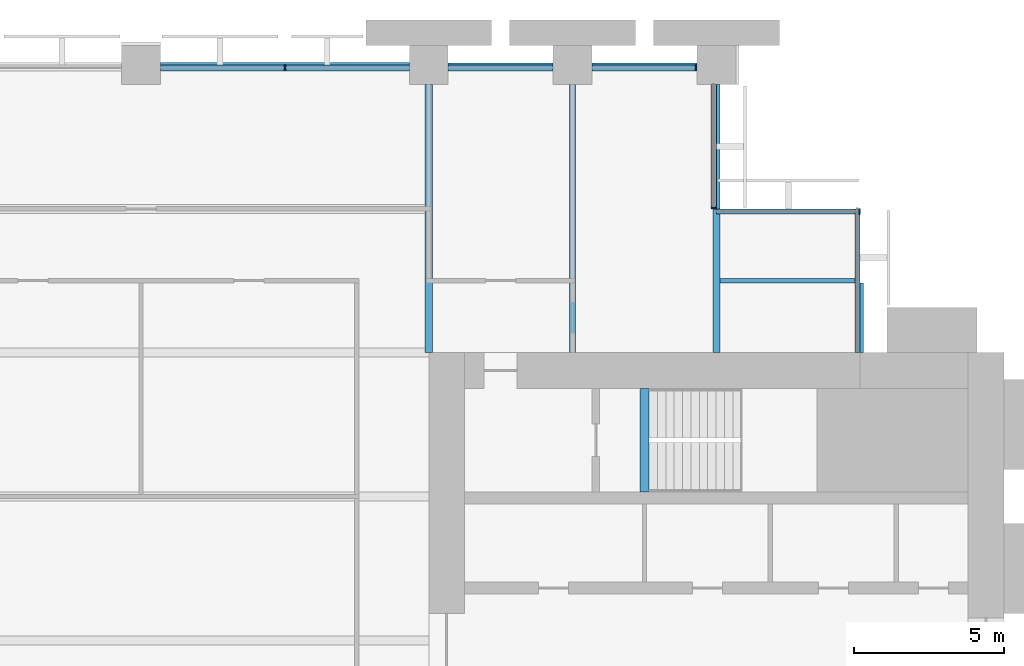
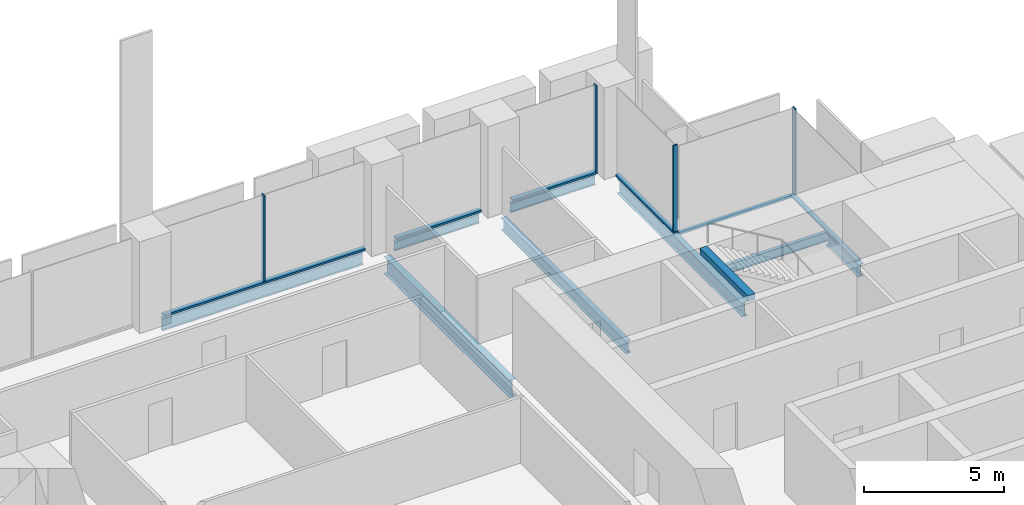
# One storey, part 7 of 14: 10 members, 9 beams, 4 elements without a shape of their own.
"""IFC4 building model written with IfcOpenShell, lengths in metres."""

from ifc_helpers import new_model, si_unit, direction, frame, origin, origin_2d, place, context, subcontext, project, spatial, rectangle, i_section, extrude, material, material_profile, profile_set, type_object, element, aggregate, save


model = new_model("IFC4")

# Units and contexts
model_context = context("Model", 3, precision=1e-05, world=origin(), true_north=direction((0.0, 1.0)))
body_context = subcontext(model_context, "Body", "Model", "MODEL_VIEW")
ifc_project = project(units=[si_unit("LENGTHUNIT", "METRE"), si_unit("AREAUNIT", "SQUARE_METRE"), si_unit("VOLUMEUNIT", "CUBIC_METRE"), si_unit("PLANEANGLEUNIT", "RADIAN"), si_unit("MASSUNIT", "GRAM", prefix="KILO")], contexts=[model_context])

# Site, building, storey
site_placement = place(None, origin())
site = spatial("IfcSite", under=ifc_project, at=site_placement, CompositionType="ELEMENT")
building_placement = place(site_placement, origin())
building = spatial("IfcBuilding", under=site, at=building_placement, Name="Baori Bourse Tower", CompositionType="ELEMENT")
storey_placement = place(building_placement, frame((0.0, 0.0, 39.0)))
storey = spatial("IfcBuildingStorey", under=building, at=storey_placement, Name="L07", CompositionType="ELEMENT", Elevation=39.0)

# Curtain wall, members
ifc_material_1 = material(Name="Pale anodised aluminium", Category="aluminium")
curtain_wall_type_1 = type_object("IfcCurtainWallType", Name="CW1 Curtain wall", PredefinedType="NOTDEFINED", material=ifc_material_1)
curtain_wall_1_placement = place(storey_placement, origin())
curtain_wall_1 = element("IfcCurtainWall", 1, at=curtain_wall_1_placement, inside=storey, type_object=curtain_wall_type_1, Name="Curtain wall CW1 L07 4", PredefinedType="NOTDEFINED")
ifc_material_2 = material(Name="Pale anodised aluminium", Category="aluminium")
ifc_material_profile_1 = material_profile(ifc_material_2, rectangle(XDim=0.199951171875, YDim=0.06005859375, at=origin_2d()), Name="Mullion 60x200")
ifc_profile_set_1 = profile_set([ifc_material_profile_1], Name="Pale anodised aluminium")
member_type_1 = type_object("IfcMemberType", Name="CW1 Curtain wall mullion", PredefinedType="MULLION", material=ifc_profile_set_1)
member_1_placement = place(storey_placement, frame((47.320068359375, 47.89990234375, 0.080078125), z_axis=(0.0, 0.0, 1.0), x_axis=(0.0, -1.0, 0.0)))
member_1 = element("IfcMember", 2, at=member_1_placement, type_object=member_type_1, Name="Curtain wall CW1 mullion", PredefinedType="MULLION", context=body_context, shape_type="SweptSolid", body=[
    extrude(rectangle(XDim=0.199951171875, YDim=0.06005859375, at=origin_2d()), origin(), (0.0, 0.0, 1.0), 3.760009765625),
])
member_2_placement = place(storey_placement, frame((33.60009765625, 47.89990234375, 0.080078125), z_axis=(0.0, 0.0, 1.0), x_axis=(0.0, -1.0, 0.0)))
member_2 = element("IfcMember", 3, at=member_2_placement, type_object=member_type_1, Name="Curtain wall CW1 mullion", PredefinedType="MULLION", context=body_context, shape_type="SweptSolid", body=[
    extrude(rectangle(XDim=0.199951171875, YDim=0.06005859375, at=origin_2d()), origin(), (0.0, 0.0, 1.0), 3.760009765625),
])
ifc_material_3 = material(Name="Pale anodised aluminium", Category="aluminium")
ifc_material_profile_2 = material_profile(ifc_material_3, rectangle(XDim=0.199951171875, YDim=0.080078125, at=origin_2d()), Name="Transom 80x200")
ifc_profile_set_2 = profile_set([ifc_material_profile_2], Name="Pale anodised aluminium")
member_type_2 = type_object("IfcMemberType", Name="CW1 Curtain wall transom", PredefinedType="USERDEFINED", material=ifc_profile_set_2)
member_3_placement = place(storey_placement, frame((47.35009765625, 47.89990234375, 0.0400390625), z_axis=(-1.0, 0.0, 0.0), x_axis=(0.0, -1.0, 0.0)))
member_3 = element("IfcMember", 4, at=member_3_placement, type_object=member_type_2, Name="Curtain wall CW1 sill rail", ObjectType="TRANSOM", PredefinedType="USERDEFINED", context=body_context, shape_type="SweptSolid", body=[
    extrude(rectangle(XDim=0.199951171875, YDim=0.080078125, at=origin_2d()), origin(), (0.0, 0.0, 1.0), 3.5),
])
member_4_placement = place(storey_placement, frame((42.550048828125, 47.89990234375, 0.0400390625), z_axis=(-1.0, 0.0, 0.0), x_axis=(0.0, -1.0, 0.0)))
member_4 = element("IfcMember", 5, at=member_4_placement, type_object=member_type_2, Name="Curtain wall CW1 sill rail", ObjectType="TRANSOM", PredefinedType="USERDEFINED", context=body_context, shape_type="SweptSolid", body=[
    extrude(rectangle(XDim=0.199951171875, YDim=0.080078125, at=origin_2d()), origin(), (0.0, 0.0, 1.0), 3.5),
])
member_5_placement = place(storey_placement, frame((37.75, 47.89990234375, 0.0400390625), z_axis=(-1.0, 0.0, 0.0), x_axis=(0.0, -1.0, 0.0)))
member_5 = element("IfcMember", 6, at=member_5_placement, type_object=member_type_2, Name="Curtain wall CW1 sill rail", ObjectType="TRANSOM", PredefinedType="USERDEFINED", context=body_context, shape_type="SweptSolid", body=[
    extrude(rectangle(XDim=0.199951171875, YDim=0.080078125, at=origin_2d()), origin(), (0.0, 0.0, 1.0), 8.300048828125),
])
aggregate(curtain_wall_1, [member_3, member_1, member_4, member_5, member_2])

# Curtain wall, member
ifc_material_4 = material(Name="Pale anodised aluminium", Category="aluminium")
curtain_wall_type_2 = type_object("IfcCurtainWallType", Name="CW2 Curtain wall", PredefinedType="NOTDEFINED", material=ifc_material_4)
curtain_wall_2_placement = place(storey_placement, origin())
curtain_wall_2 = element("IfcCurtainWall", 7, at=curtain_wall_2_placement, inside=storey, type_object=curtain_wall_type_2, Name="Curtain wall CW2 L07 2", PredefinedType="NOTDEFINED")
ifc_material_5 = material(Name="Pale anodised aluminium", Category="aluminium")
ifc_material_profile_3 = material_profile(ifc_material_5, rectangle(XDim=0.179931640625, YDim=0.054931640625, at=origin_2d()), Name="Mullion 55x180")
ifc_profile_set_3 = profile_set([ifc_material_profile_3], Name="Pale anodised aluminium")
member_type_3 = type_object("IfcMemberType", Name="CW2 Curtain wall mullion", PredefinedType="MULLION", material=ifc_profile_set_3)
member_6_placement = place(storey_placement, frame((52.7724609375, 43.110107421875, 0.070068359375), z_axis=(0.0, 0.0, 1.0), x_axis=(0.0, -1.0, 0.0)))
member_6 = element("IfcMember", 8, at=member_6_placement, type_object=member_type_3, Name="Curtain wall CW2 mullion", PredefinedType="MULLION", context=body_context, shape_type="SweptSolid", body=[
    extrude(rectangle(XDim=0.179931640625, YDim=0.054931640625, at=origin_2d()), origin(), (0.0, 0.0, 1.0), 3.77001953125),
])

curtain_wall_3_placement = place(storey_placement, origin())
curtain_wall_3 = element("IfcCurtainWall", 9, at=curtain_wall_3_placement, inside=storey, type_object=curtain_wall_type_2, Name="Curtain wall CW2 L07 3", PredefinedType="NOTDEFINED")
member_7_placement = place(storey_placement, frame((47.909912109375, 43.2275390625, 0.070068359375), z_axis=(0.0, 0.0, 1.0), x_axis=(-1.0, 0.0, 0.0)))
member_7 = element("IfcMember", 10, at=member_7_placement, type_object=member_type_3, Name="Curtain wall CW2 mullion", PredefinedType="MULLION", context=body_context, shape_type="SweptSolid", body=[
    extrude(rectangle(XDim=0.179931640625, YDim=0.054931640625, at=origin_2d()), origin(), (0.0, 0.0, 1.0), 3.77001953125),
])

curtain_wall_4_placement = place(storey_placement, origin())
curtain_wall_4 = element("IfcCurtainWall", 11, at=curtain_wall_4_placement, inside=storey, type_object=curtain_wall_type_2, Name="Curtain wall CW2 L07 1", PredefinedType="NOTDEFINED")
ifc_material_6 = material(Name="Pale anodised aluminium", Category="aluminium")
ifc_material_profile_4 = material_profile(ifc_material_6, rectangle(XDim=0.179931640625, YDim=0.070068359375, at=origin_2d()), Name="Transom 70x180")
ifc_profile_set_4 = profile_set([ifc_material_profile_4], Name="Pale anodised aluminium")
member_type_4 = type_object("IfcMemberType", Name="CW2 Curtain wall transom", PredefinedType="USERDEFINED", material=ifc_profile_set_4)
member_8_placement = place(storey_placement, frame((52.7099609375, 38.39990234375, 0.034912109375), z_axis=(0.0, 1.0, 0.0), x_axis=(-1.0, 0.0, 0.0)))
member_8 = element("IfcMember", 12, at=member_8_placement, type_object=member_type_4, Name="Curtain wall CW2 sill rail", ObjectType="TRANSOM", PredefinedType="USERDEFINED", context=body_context, shape_type="SweptSolid", body=[
    extrude(rectangle(XDim=0.179931640625, YDim=0.070068359375, at=origin_2d()), origin(), (0.0, 0.0, 1.0), 4.800048828125),
])
aggregate(curtain_wall_4, [member_8])

# Member
member_9_placement = place(storey_placement, frame((52.800048828125, 43.110107421875, 0.034912109375), z_axis=(-1.0, 0.0, 0.0), x_axis=(0.0, -1.0, 0.0)))
member_9 = element("IfcMember", 13, at=member_9_placement, type_object=member_type_4, Name="Curtain wall CW2 sill rail", ObjectType="TRANSOM", PredefinedType="USERDEFINED", context=body_context, shape_type="SweptSolid", body=[
    extrude(rectangle(XDim=0.179931640625, YDim=0.070068359375, at=origin_2d()), origin(), (0.0, 0.0, 1.0), 4.800048828125),
])

aggregate(curtain_wall_2, [member_9, member_6])

member_10_placement = place(storey_placement, frame((47.909912109375, 43.199951171875, 0.034912109375), z_axis=(0.0, 1.0, 0.0), x_axis=(-1.0, 0.0, 0.0)))
member_10 = element("IfcMember", 14, at=member_10_placement, type_object=member_type_4, Name="Curtain wall CW2 sill rail", ObjectType="TRANSOM", PredefinedType="USERDEFINED", context=body_context, shape_type="SweptSolid", body=[
    extrude(rectangle(XDim=0.179931640625, YDim=0.070068359375, at=origin_2d()), origin(), (0.0, 0.0, 1.0), 4.150146484375),
])

aggregate(curtain_wall_3, [member_10, member_7])

# Beams
ifc_material_7 = material(Name="Steel A992 Gr 50", Category="steel")
ifc_material_profile_5 = material_profile(ifc_material_7, i_section(OverallWidth=0.21240234375, OverallDepth=0.54345703125, WebThickness=0.01318359375, FlangeThickness=0.021240234375, at=origin_2d()), Name="W21x83")
ifc_profile_set_5 = profile_set([ifc_material_profile_5], Name="Steel A992 Gr 50")
beam_type_1 = type_object("IfcBeamType", Name="Core bracket W21x83", PredefinedType="BEAM", material=ifc_profile_set_5)
beam_1_placement = place(storey_placement, frame((52.800048828125, 38.39990234375, -0.431884765625), z_axis=(0.0, 1.0, 0.0), x_axis=(-1.0, 0.0, 0.0)))
element("IfcBeam", 15, at=beam_1_placement, inside=storey, type_object=beam_type_1, Name="Core bracket L07", PredefinedType="BEAM", context=body_context, shape_type="SweptSolid", body=[
    extrude(i_section(OverallWidth=0.21240234375, OverallDepth=0.54345703125, WebThickness=0.01318359375, FlangeThickness=0.021240234375, at=origin_2d()), origin(), (0.0, 0.0, 1.0), 2.329833984375),
])
ifc_material_8 = material(Name="Steel A992 Gr 50", Category="steel")
ifc_material_profile_6 = material_profile(ifc_material_8, i_section(OverallWidth=0.140380859375, OverallDepth=0.40380859375, WebThickness=0.007080078125, FlangeThickness=0.01123046875, at=origin_2d()), Name="W16x31")
ifc_profile_set_6 = profile_set([ifc_material_profile_6], Name="Steel A992 Gr 50")
beam_type_2 = type_object("IfcBeamType", Name="Edge beam W16x31", PredefinedType="BEAM", material=ifc_profile_set_6)
for number, where, z_axis, x_axis, name in (
    (16, (39.050048828125, 48.0, -0.36181640625), (1.0, 0.0, 0.0), (0.0, 1.0, 0.0), "Edge beam L07"),
    (17, (43.85009765625, 48.0, -0.36181640625), (1.0, 0.0, 0.0), (0.0, 1.0, 0.0), "Edge beam L07"),
):
    element("IfcBeam", number, at=place(storey_placement, frame(where, z_axis=z_axis, x_axis=x_axis)), inside=storey, type_object=beam_type_2, Name=name, PredefinedType="BEAM", context=body_context, shape_type="SweptSolid", body=[
        extrude(i_section(OverallWidth=0.140380859375, OverallDepth=0.40380859375, WebThickness=0.007080078125, FlangeThickness=0.01123046875, at=origin_2d()), origin(), (0.0, 0.0, 1.0), 3.5),
    ])
ifc_material_9 = material(Name="Steel A992 Gr 50", Category="steel")
ifc_material_profile_7 = material_profile(ifc_material_9, i_section(OverallWidth=0.1650390625, OverallDepth=0.52587890625, WebThickness=0.0087890625, FlangeThickness=0.011474609375, at=origin_2d()), Name="W21x44")
ifc_profile_set_7 = profile_set([ifc_material_profile_7], Name="Steel A992 Gr 50")
beam_type_3 = type_object("IfcBeamType", Name="Edge beam W21x44", PredefinedType="BEAM", material=ifc_profile_set_7)
beam_2_placement = place(storey_placement, frame((29.449951171875, 48.0, -0.4228515625), z_axis=(1.0, 0.0, 0.0), x_axis=(0.0, 1.0, 0.0)))
element("IfcBeam", 18, at=beam_2_placement, inside=storey, type_object=beam_type_3, Name="Edge beam L07", PredefinedType="BEAM", context=body_context, shape_type="SweptSolid", body=[
    extrude(i_section(OverallWidth=0.1650390625, OverallDepth=0.52587890625, WebThickness=0.0087890625, FlangeThickness=0.011474609375, at=origin_2d()), origin(), (0.0, 0.0, 1.0), 8.300048828125),
])
ifc_material_10 = material(Name="Steel A992 Gr 50", Category="steel")
ifc_material_profile_8 = material_profile(ifc_material_10, i_section(OverallWidth=0.209228515625, OverallDepth=0.533447265625, WebThickness=0.01025390625, FlangeThickness=0.015625, at=origin_2d()), Name="W21x62")
ifc_profile_set_8 = profile_set([ifc_material_profile_8], Name="Steel A992 Gr 50")
beam_type_4 = type_object("IfcBeamType", Name="Floor beam W21x62", PredefinedType="BEAM", material=ifc_profile_set_8)
beam_3_placement = place(storey_placement, frame((43.199951171875, 38.39990234375, -0.4267578125), z_axis=(0.0, 1.0, 0.0), x_axis=(-1.0, 0.0, 0.0)))
element("IfcBeam", 19, at=beam_3_placement, inside=storey, type_object=beam_type_4, Name="Floor beam L07", PredefinedType="BEAM", context=body_context, shape_type="SweptSolid", body=[
    extrude(i_section(OverallWidth=0.209228515625, OverallDepth=0.533447265625, WebThickness=0.01025390625, FlangeThickness=0.015625, at=origin_2d()), origin(), (0.0, 0.0, 1.0), 8.9501953125),
])
ifc_material_11 = material(Name="Steel A992 Gr 50", Category="steel")
ifc_material_profile_9 = material_profile(ifc_material_11, i_section(OverallWidth=0.227783203125, OverallDepth=0.60205078125, WebThickness=0.010498046875, FlangeThickness=0.014892578125, at=origin_2d()), Name="W24x68")
ifc_profile_set_9 = profile_set([ifc_material_profile_9], Name="Steel A992 Gr 50")
beam_type_5 = type_object("IfcBeamType", Name="Floor beam W24x68", PredefinedType="BEAM", material=ifc_profile_set_9)
beam_4_placement = place(storey_placement, frame((48.0, 38.39990234375, -0.4609375), z_axis=(0.0, 1.0, 0.0), x_axis=(-1.0, 0.0, 0.0)))
element("IfcBeam", 20, at=beam_4_placement, inside=storey, type_object=beam_type_5, Name="Floor beam L07", PredefinedType="BEAM", context=body_context, shape_type="SweptSolid", body=[
    extrude(i_section(OverallWidth=0.227783203125, OverallDepth=0.60205078125, WebThickness=0.010498046875, FlangeThickness=0.014892578125, at=origin_2d()), origin(), (0.0, 0.0, 1.0), 8.9501953125),
])
ifc_material_12 = material(Name="Steel A992 Gr 50", Category="steel")
ifc_material_profile_10 = material_profile(ifc_material_12, i_section(OverallWidth=0.2666015625, OverallDepth=0.7568359375, WebThickness=0.013916015625, FlangeThickness=0.019287109375, at=origin_2d()), Name="W30x108")
ifc_profile_set_10 = profile_set([ifc_material_profile_10], Name="Steel A992 Gr 50")
beam_type_6 = type_object("IfcBeamType", Name="Girder W30x108", PredefinedType="BEAM", material=ifc_profile_set_10)
beam_5_placement = place(storey_placement, frame((38.39990234375, 38.39990234375, -0.53857421875), z_axis=(0.0, 1.0, 0.0), x_axis=(-1.0, 0.0, 0.0)))
element("IfcBeam", 21, at=beam_5_placement, inside=storey, type_object=beam_type_6, Name="Girder L07", PredefinedType="BEAM", context=body_context, shape_type="SweptSolid", body=[
    extrude(i_section(OverallWidth=0.2666015625, OverallDepth=0.7568359375, WebThickness=0.013916015625, FlangeThickness=0.019287109375, at=origin_2d()), origin(), (0.0, 0.0, 1.0), 8.9501953125),
])
ifc_material_13 = material(Name="Concrete f'c 50 MPa", Category="concrete")
ifc_material_profile_11 = material_profile(ifc_material_13, rectangle(XDim=0.300048828125, YDim=0.25, at=origin_2d()), Name="RC 300x250")
ifc_profile_set_11 = profile_set([ifc_material_profile_11], Name="Concrete f'c 50 MPa")
beam_type_7 = type_object("IfcBeamType", Name="Stair nib beam RC 300x250", PredefinedType="BEAM", material=ifc_profile_set_11)
beam_6_placement = place(storey_placement, frame((45.60009765625, 33.75, 3.715087890625), z_axis=(0.0, 1.0, 0.0), x_axis=(-1.0, 0.0, 0.0)))
element("IfcBeam", 22, at=beam_6_placement, inside=storey, type_object=beam_type_7, Name="Stair EB nib beam L08", PredefinedType="BEAM", context=body_context, shape_type="SweptSolid", body=[
    extrude(rectangle(XDim=0.300048828125, YDim=0.25, at=origin_2d()), origin(), (0.0, 0.0, 1.0), 3.449951171875),
])
ifc_material_14 = material(Name="Steel A992 Gr 50", Category="steel")
ifc_material_profile_12 = material_profile(ifc_material_14, i_section(OverallWidth=0.140380859375, OverallDepth=0.40380859375, WebThickness=0.007080078125, FlangeThickness=0.01123046875, at=origin_2d()), Name="W16x31")
ifc_profile_set_12 = profile_set([ifc_material_profile_12], Name="Steel A992 Gr 50")
beam_type_8 = type_object("IfcBeamType", Name="Trimmer beam W16x31", PredefinedType="BEAM", material=ifc_profile_set_12)
beam_7_placement = place(storey_placement, frame((48.114013671875, 40.800048828125, -0.36181640625), z_axis=(1.0, 0.0, 0.0), x_axis=(0.0, 1.0, 0.0)))
element("IfcBeam", 23, at=beam_7_placement, inside=storey, type_object=beam_type_8, Name="Trimmer beam L07", PredefinedType="BEAM", context=body_context, shape_type="SweptSolid", body=[
    extrude(i_section(OverallWidth=0.140380859375, OverallDepth=0.40380859375, WebThickness=0.007080078125, FlangeThickness=0.01123046875, at=origin_2d()), origin(), (0.0, 0.0, 1.0), 4.68603515625),
])

save(model, "model.ifc")
